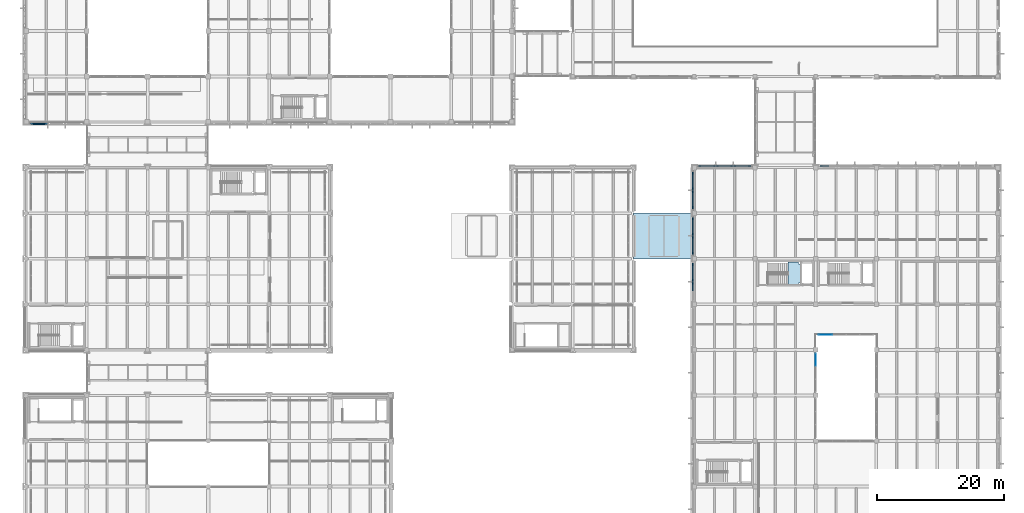
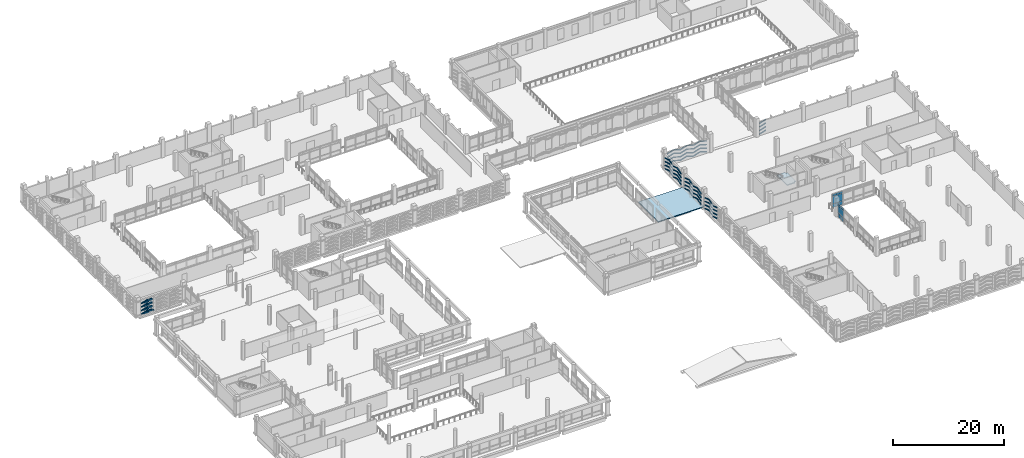
# One storey, part 128 of 180: 91 plates, 2 slabs, 3 elements without a shape of their own.
"""IFC4 building model written with IfcOpenShell, lengths in metres."""

from ifc_helpers import new_model, si_unit, direction, frame, origin, origin_2d, place, context, subcontext, project, spatial, polyline, rectangle, hollow_rectangle, outline, extrude, material, layer, layer_set, material_profile, profile_set, type_object, element, aggregate, save


model = new_model("IFC4")

# Units and contexts
model_context = context("Model", 3, precision=1e-05, world=origin(), true_north=direction((0.0, 1.0)))
body_context = subcontext(model_context, "Body", "Model", "MODEL_VIEW")
ifc_project = project(units=[si_unit("LENGTHUNIT", "METRE"), si_unit("AREAUNIT", "SQUARE_METRE"), si_unit("VOLUMEUNIT", "CUBIC_METRE"), si_unit("PLANEANGLEUNIT", "RADIAN"), si_unit("MASSUNIT", "GRAM", prefix="KILO")], contexts=[model_context])

# Site, building, storey
site_placement = place(None, origin())
site = spatial("IfcSite", under=ifc_project, at=site_placement, CompositionType="ELEMENT")
building_placement = place(site_placement, origin())
building = spatial("IfcBuilding", under=site, at=building_placement, Name="Asteropetra Specialist Clinic", CompositionType="ELEMENT")
storey_placement = place(building_placement, frame((0.0, 0.0, 4.419921875)))
storey = spatial("IfcBuildingStorey", under=building, at=storey_placement, Name="L01", CompositionType="ELEMENT", Elevation=4.419921875)

# Plates
ifc_material_1 = material(Name="Chevron emerald aluminium 6063-T6", Category="aluminium")
ifc_material_profile = material_profile(ifc_material_1, hollow_rectangle(XDim=0.199951171875, YDim=0.199951171875, WallThickness=0.010009765625, InnerFilletRadius=0.008056640625, OuterFilletRadius=0.01611328125, at=origin_2d()), Name="SHS 200x200x10.0")
ifc_profile_set = profile_set([ifc_material_profile], Name="Chevron emerald aluminium 6063-T6")
plate_type_1 = type_object("IfcPlateType", Name="CHV-RIB-200", PredefinedType="SHEET", material=ifc_profile_set)
plate_1_placement = place(storey_placement, frame((0.715087890625, 69.347900390625, 0.050048828125), z_axis=(0.952426149832, 0.0, 0.304769468807), x_axis=(0.0, 1.0, 0.0)))
element("IfcPlate", 1, at=plate_1_placement, inside=storey, type_object=plate_type_1, Name="Chevron Facade Screen Fin CVR-0363", PredefinedType="SHEET", context=body_context, shape_type="SweptSolid", body=[
    extrude(hollow_rectangle(XDim=0.199951171875, YDim=0.199951171875, WallThickness=0.010009765625, InnerFilletRadius=0.008056640625, OuterFilletRadius=0.01611328125, at=origin_2d()), origin(), (0.0, 0.0, 1.0), 1.41552734375),
])
plate_2_placement = place(storey_placement, frame((2.063232421875, 69.347900390625, 0.4814453125), z_axis=(0.95244216645, 0.0, -0.304719411211), x_axis=(0.0, 1.0, 0.0)))
element("IfcPlate", 2, at=plate_2_placement, inside=storey, type_object=plate_type_1, Name="Chevron Facade Screen Fin CVR-0364", PredefinedType="SHEET", context=body_context, shape_type="SweptSolid", body=[
    extrude(hollow_rectangle(XDim=0.199951171875, YDim=0.199951171875, WallThickness=0.010009765625, InnerFilletRadius=0.008056640625, OuterFilletRadius=0.01611328125, at=origin_2d()), origin(), (0.0, 0.0, 1.0), 1.415771484375),
])
for number, where, z_axis, x_axis, name in (
    (3, (0.715087890625, 69.347900390625, 0.820068359375), (0.952426149832, 0.0, 0.304769468807), (0.0, 1.0, 0.0), "Chevron Facade Screen Fin CVR-0365"),
    (4, (0.715087890625, 69.347900390625, 1.6201171875), (0.952426149832, 0.0, 0.304769468807), (0.0, 1.0, 0.0), "Chevron Facade Screen Fin CVR-0367"),
    (5, (0.715087890625, 69.347900390625, 2.400146484375), (0.952426149832, 0.0, 0.304769468807), (0.0, 1.0, 0.0), "Chevron Facade Screen Fin CVR-0369"),
):
    element("IfcPlate", number, at=place(storey_placement, frame(where, z_axis=z_axis, x_axis=x_axis)), inside=storey, type_object=plate_type_1, Name=name, PredefinedType="SHEET", context=body_context, shape_type="SweptSolid", body=[
        extrude(hollow_rectangle(XDim=0.199951171875, YDim=0.199951171875, WallThickness=0.010009765625, InnerFilletRadius=0.008056640625, OuterFilletRadius=0.01611328125, at=origin_2d()), origin(), (0.0, 0.0, 1.0), 1.41552734375),
    ])
for number, where, z_axis, x_axis, name in (
    (6, (114.510009765625, 62.6494140625, 0.050048828125), (-0.952436086829, 0.0, 0.304738413241), (0.0, -1.0, 0.0), "Chevron Facade Screen Fin CVR-2000"),
    (7, (113.1533203125, 62.6494140625, 0.484130859375), (-0.952436086829, 0.0, -0.304738413241), (0.0, -1.0, 0.0), "Chevron Facade Screen Fin CVR-2001"),
    (8, (114.510009765625, 62.6494140625, 0.820068359375), (-0.952436086829, 0.0, 0.304738413241), (0.0, -1.0, 0.0), "Chevron Facade Screen Fin CVR-2002"),
    (9, (113.1533203125, 62.6494140625, 1.254150390625), (-0.952436086829, 0.0, -0.304738413241), (0.0, -1.0, 0.0), "Chevron Facade Screen Fin CVR-2003"),
    (10, (114.510009765625, 62.6494140625, 1.6201171875), (-0.952436086829, 0.0, 0.304738413241), (0.0, -1.0, 0.0), "Chevron Facade Screen Fin CVR-2004"),
    (11, (113.1533203125, 62.6494140625, 2.05419921875), (-0.952436086829, 0.0, -0.304738413241), (0.0, -1.0, 0.0), "Chevron Facade Screen Fin CVR-2005"),
    (12, (114.510009765625, 62.6494140625, 2.400146484375), (-0.952436086829, 0.0, 0.304738413241), (0.0, -1.0, 0.0), "Chevron Facade Screen Fin CVR-2006"),
    (13, (113.1533203125, 62.6494140625, 2.834228515625), (-0.952436086829, 0.0, -0.304738413241), (0.0, -1.0, 0.0), "Chevron Facade Screen Fin CVR-2007"),
    (14, (111.756591796875, 62.6494140625, 0.050048828125), (-0.952436086829, 0.0, 0.304738413241), (0.0, -1.0, 0.0), "Chevron Facade Screen Fin CVR-2008"),
    (15, (110.39990234375, 62.6494140625, 0.484130859375), (-0.952436086829, 0.0, -0.304738413241), (0.0, -1.0, 0.0), "Chevron Facade Screen Fin CVR-2009"),
    (16, (111.756591796875, 62.6494140625, 0.820068359375), (-0.952436086829, 0.0, 0.304738413241), (0.0, -1.0, 0.0), "Chevron Facade Screen Fin CVR-2010"),
    (17, (110.39990234375, 62.6494140625, 1.254150390625), (-0.952436086829, 0.0, -0.304738413241), (0.0, -1.0, 0.0), "Chevron Facade Screen Fin CVR-2011"),
    (18, (111.756591796875, 62.6494140625, 1.6201171875), (-0.952436086829, 0.0, 0.304738413241), (0.0, -1.0, 0.0), "Chevron Facade Screen Fin CVR-2012"),
    (19, (110.39990234375, 62.6494140625, 2.05419921875), (-0.952436086829, 0.0, -0.304738413241), (0.0, -1.0, 0.0), "Chevron Facade Screen Fin CVR-2013"),
    (20, (111.756591796875, 62.6494140625, 2.400146484375), (-0.952436086829, 0.0, 0.304738413241), (0.0, -1.0, 0.0), "Chevron Facade Screen Fin CVR-2014"),
    (21, (110.39990234375, 62.6494140625, 2.834228515625), (-0.952436086829, 0.0, -0.304738413241), (0.0, -1.0, 0.0), "Chevron Facade Screen Fin CVR-2015"),
    (22, (109.00341796875, 62.6494140625, 0.050048828125), (-0.952436086829, 0.0, 0.304738413241), (0.0, -1.0, 0.0), "Chevron Facade Screen Fin CVR-2016"),
    (23, (107.646728515625, 62.6494140625, 0.484130859375), (-0.952436086829, 0.0, -0.304738413241), (0.0, -1.0, 0.0), "Chevron Facade Screen Fin CVR-2017"),
    (24, (109.00341796875, 62.6494140625, 0.820068359375), (-0.952436086829, 0.0, 0.304738413241), (0.0, -1.0, 0.0), "Chevron Facade Screen Fin CVR-2018"),
    (25, (107.646728515625, 62.6494140625, 1.254150390625), (-0.952436086829, 0.0, -0.304738413241), (0.0, -1.0, 0.0), "Chevron Facade Screen Fin CVR-2019"),
    (26, (109.00341796875, 62.6494140625, 1.6201171875), (-0.952436086829, 0.0, 0.304738413241), (0.0, -1.0, 0.0), "Chevron Facade Screen Fin CVR-2020"),
    (27, (107.646728515625, 62.6494140625, 2.05419921875), (-0.952436086829, 0.0, -0.304738413241), (0.0, -1.0, 0.0), "Chevron Facade Screen Fin CVR-2021"),
    (28, (109.00341796875, 62.6494140625, 2.400146484375), (-0.952436086829, 0.0, 0.304738413241), (0.0, -1.0, 0.0), "Chevron Facade Screen Fin CVR-2022"),
    (29, (107.646728515625, 62.6494140625, 2.834228515625), (-0.952436086829, 0.0, -0.304738413241), (0.0, -1.0, 0.0), "Chevron Facade Screen Fin CVR-2023"),
    (30, (126.8466796875, 62.6494140625, 0.484130859375), (-0.952436086829, 0.0, -0.304738413241), (0.0, -1.0, 0.0), "Chevron Facade Screen Fin CVR-2089"),
    (31, (126.8466796875, 62.6494140625, 1.254150390625), (-0.952436086829, 0.0, -0.304738413241), (0.0, -1.0, 0.0), "Chevron Facade Screen Fin CVR-2091"),
    (32, (126.8466796875, 62.6494140625, 2.05419921875), (-0.952436086829, 0.0, -0.304738413241), (0.0, -1.0, 0.0), "Chevron Facade Screen Fin CVR-2093"),
    (33, (126.8466796875, 62.6494140625, 2.834228515625), (-0.952436086829, 0.0, -0.304738413241), (0.0, -1.0, 0.0), "Chevron Facade Screen Fin CVR-2095"),
):
    element("IfcPlate", number, at=place(storey_placement, frame(where, z_axis=z_axis, x_axis=x_axis)), inside=storey, type_object=plate_type_1, Name=name, PredefinedType="SHEET", context=body_context, shape_type="SweptSolid", body=[
        extrude(hollow_rectangle(XDim=0.199951171875, YDim=0.199951171875, WallThickness=0.010009765625, InnerFilletRadius=0.008056640625, OuterFilletRadius=0.01611328125, at=origin_2d()), origin(), (0.0, 0.0, 1.0), 1.424560546875),
    ])
for number, where, z_axis, x_axis, name in (
    (34, (105.3505859375, 47.31005859375, 0.050048828125), (0.0, -0.952521261695, 0.304472077568), (1.0, 0.0, 0.0), "Chevron Facade Screen Fin CVR-2368"),
    (35, (105.3505859375, 45.864990234375, 0.511962890625), (0.0, -0.952521261695, -0.304472077568), (1.0, 0.0, 0.0), "Chevron Facade Screen Fin CVR-2369"),
    (36, (105.3505859375, 47.31005859375, 0.820068359375), (0.0, -0.952521261695, 0.304472077568), (1.0, 0.0, 0.0), "Chevron Facade Screen Fin CVR-2370"),
    (37, (105.3505859375, 45.864990234375, 1.281982421875), (0.0, -0.952521261695, -0.304472077568), (1.0, 0.0, 0.0), "Chevron Facade Screen Fin CVR-2371"),
    (38, (105.3505859375, 47.31005859375, 1.6201171875), (0.0, -0.952521261695, 0.304472077568), (1.0, 0.0, 0.0), "Chevron Facade Screen Fin CVR-2372"),
    (39, (105.3505859375, 45.864990234375, 2.08203125), (0.0, -0.952521261695, -0.304472077568), (1.0, 0.0, 0.0), "Chevron Facade Screen Fin CVR-2373"),
    (40, (105.3505859375, 47.31005859375, 2.400146484375), (0.0, -0.952521261695, 0.304472077568), (1.0, 0.0, 0.0), "Chevron Facade Screen Fin CVR-2374"),
    (41, (105.3505859375, 45.864990234375, 2.862060546875), (0.0, -0.952521261695, -0.304472077568), (1.0, 0.0, 0.0), "Chevron Facade Screen Fin CVR-2375"),
):
    element("IfcPlate", number, at=place(storey_placement, frame(where, z_axis=z_axis, x_axis=x_axis)), inside=storey, type_object=plate_type_1, Name=name, PredefinedType="SHEET", context=body_context, shape_type="SweptSolid", body=[
        extrude(hollow_rectangle(XDim=0.199951171875, YDim=0.199951171875, WallThickness=0.010009765625, InnerFilletRadius=0.008056640625, OuterFilletRadius=0.01611328125, at=origin_2d()), origin(), (0.0, 0.0, 1.0), 1.51708984375),
    ])
for number, where, z_axis, x_axis, name in (
    (42, (105.3505859375, 44.3798828125, 0.050048828125), (0.0, -0.952506339897, 0.304518755506), (1.0, 0.0, 0.0), "Chevron Facade Screen Fin CVR-2376"),
    (43, (105.3505859375, 44.3798828125, 0.820068359375), (0.0, -0.952506339897, 0.304518755506), (1.0, 0.0, 0.0), "Chevron Facade Screen Fin CVR-2378"),
    (44, (105.3505859375, 44.3798828125, 1.6201171875), (0.0, -0.952506339897, 0.304518755506), (1.0, 0.0, 0.0), "Chevron Facade Screen Fin CVR-2380"),
    (45, (105.3505859375, 44.3798828125, 2.400146484375), (0.0, -0.952506339897, 0.304518755506), (1.0, 0.0, 0.0), "Chevron Facade Screen Fin CVR-2382"),
):
    element("IfcPlate", number, at=place(storey_placement, frame(where, z_axis=z_axis, x_axis=x_axis)), inside=storey, type_object=plate_type_1, Name=name, PredefinedType="SHEET", context=body_context, shape_type="SweptSolid", body=[
        extrude(hollow_rectangle(XDim=0.199951171875, YDim=0.199951171875, WallThickness=0.010009765625, InnerFilletRadius=0.008056640625, OuterFilletRadius=0.01611328125, at=origin_2d()), origin(), (0.0, 0.0, 1.0), 1.516845703125),
    ])
plate_3_placement = place(storey_placement, frame((105.3505859375, 54.510009765625, 0.050048828125), z_axis=(0.0, -0.952521261695, 0.304472077568), x_axis=(1.0, 0.0, 0.0)))
element("IfcPlate", 46, at=plate_3_placement, inside=storey, type_object=plate_type_1, Name="Chevron Facade Screen Fin CVR-2400", PredefinedType="SHEET", context=body_context, shape_type="SweptSolid", body=[
    extrude(hollow_rectangle(XDim=0.199951171875, YDim=0.199951171875, WallThickness=0.010009765625, InnerFilletRadius=0.008056640625, OuterFilletRadius=0.01611328125, at=origin_2d()), origin(), (0.0, 0.0, 1.0), 1.51708984375),
])
plate_4_placement = place(storey_placement, frame((105.3505859375, 53.06494140625, 0.511962890625), z_axis=(0.0, -0.952506339897, -0.304518755506), x_axis=(1.0, 0.0, 0.0)))
element("IfcPlate", 47, at=plate_4_placement, inside=storey, type_object=plate_type_1, Name="Chevron Facade Screen Fin CVR-2401", PredefinedType="SHEET", context=body_context, shape_type="SweptSolid", body=[
    extrude(hollow_rectangle(XDim=0.199951171875, YDim=0.199951171875, WallThickness=0.010009765625, InnerFilletRadius=0.008056640625, OuterFilletRadius=0.01611328125, at=origin_2d()), origin(), (0.0, 0.0, 1.0), 1.516845703125),
])
plate_5_placement = place(storey_placement, frame((105.3505859375, 54.510009765625, 0.820068359375), z_axis=(0.0, -0.952521261695, 0.304472077568), x_axis=(1.0, 0.0, 0.0)))
element("IfcPlate", 48, at=plate_5_placement, inside=storey, type_object=plate_type_1, Name="Chevron Facade Screen Fin CVR-2402", PredefinedType="SHEET", context=body_context, shape_type="SweptSolid", body=[
    extrude(hollow_rectangle(XDim=0.199951171875, YDim=0.199951171875, WallThickness=0.010009765625, InnerFilletRadius=0.008056640625, OuterFilletRadius=0.01611328125, at=origin_2d()), origin(), (0.0, 0.0, 1.0), 1.51708984375),
])
plate_6_placement = place(storey_placement, frame((105.3505859375, 53.06494140625, 1.281982421875), z_axis=(0.0, -0.952506339897, -0.304518755506), x_axis=(1.0, 0.0, 0.0)))
element("IfcPlate", 49, at=plate_6_placement, inside=storey, type_object=plate_type_1, Name="Chevron Facade Screen Fin CVR-2403", PredefinedType="SHEET", context=body_context, shape_type="SweptSolid", body=[
    extrude(hollow_rectangle(XDim=0.199951171875, YDim=0.199951171875, WallThickness=0.010009765625, InnerFilletRadius=0.008056640625, OuterFilletRadius=0.01611328125, at=origin_2d()), origin(), (0.0, 0.0, 1.0), 1.516845703125),
])
plate_7_placement = place(storey_placement, frame((105.3505859375, 54.510009765625, 1.6201171875), z_axis=(0.0, -0.952521261695, 0.304472077568), x_axis=(1.0, 0.0, 0.0)))
element("IfcPlate", 50, at=plate_7_placement, inside=storey, type_object=plate_type_1, Name="Chevron Facade Screen Fin CVR-2404", PredefinedType="SHEET", context=body_context, shape_type="SweptSolid", body=[
    extrude(hollow_rectangle(XDim=0.199951171875, YDim=0.199951171875, WallThickness=0.010009765625, InnerFilletRadius=0.008056640625, OuterFilletRadius=0.01611328125, at=origin_2d()), origin(), (0.0, 0.0, 1.0), 1.51708984375),
])
plate_8_placement = place(storey_placement, frame((105.3505859375, 53.06494140625, 2.08203125), z_axis=(0.0, -0.952506339897, -0.304518755506), x_axis=(1.0, 0.0, 0.0)))
element("IfcPlate", 51, at=plate_8_placement, inside=storey, type_object=plate_type_1, Name="Chevron Facade Screen Fin CVR-2405", PredefinedType="SHEET", context=body_context, shape_type="SweptSolid", body=[
    extrude(hollow_rectangle(XDim=0.199951171875, YDim=0.199951171875, WallThickness=0.010009765625, InnerFilletRadius=0.008056640625, OuterFilletRadius=0.01611328125, at=origin_2d()), origin(), (0.0, 0.0, 1.0), 1.516845703125),
])
plate_9_placement = place(storey_placement, frame((105.3505859375, 54.510009765625, 2.400146484375), z_axis=(0.0, -0.952521261695, 0.304472077568), x_axis=(1.0, 0.0, 0.0)))
element("IfcPlate", 52, at=plate_9_placement, inside=storey, type_object=plate_type_1, Name="Chevron Facade Screen Fin CVR-2406", PredefinedType="SHEET", context=body_context, shape_type="SweptSolid", body=[
    extrude(hollow_rectangle(XDim=0.199951171875, YDim=0.199951171875, WallThickness=0.010009765625, InnerFilletRadius=0.008056640625, OuterFilletRadius=0.01611328125, at=origin_2d()), origin(), (0.0, 0.0, 1.0), 1.51708984375),
])
plate_10_placement = place(storey_placement, frame((105.3505859375, 53.06494140625, 2.862060546875), z_axis=(0.0, -0.952506339897, -0.304518755506), x_axis=(1.0, 0.0, 0.0)))
element("IfcPlate", 53, at=plate_10_placement, inside=storey, type_object=plate_type_1, Name="Chevron Facade Screen Fin CVR-2407", PredefinedType="SHEET", context=body_context, shape_type="SweptSolid", body=[
    extrude(hollow_rectangle(XDim=0.199951171875, YDim=0.199951171875, WallThickness=0.010009765625, InnerFilletRadius=0.008056640625, OuterFilletRadius=0.01611328125, at=origin_2d()), origin(), (0.0, 0.0, 1.0), 1.516845703125),
])
for number, where, z_axis, x_axis, name in (
    (54, (105.3505859375, 51.580078125, 0.050048828125), (0.0, -0.952521261695, 0.304472077568), (1.0, 0.0, 0.0), "Chevron Facade Screen Fin CVR-2408"),
    (55, (105.3505859375, 50.135009765625, 0.511962890625), (0.0, -0.952521261695, -0.304472077568), (1.0, 0.0, 0.0), "Chevron Facade Screen Fin CVR-2409"),
    (56, (105.3505859375, 51.580078125, 0.820068359375), (0.0, -0.952521261695, 0.304472077568), (1.0, 0.0, 0.0), "Chevron Facade Screen Fin CVR-2410"),
    (57, (105.3505859375, 50.135009765625, 1.281982421875), (0.0, -0.952521261695, -0.304472077568), (1.0, 0.0, 0.0), "Chevron Facade Screen Fin CVR-2411"),
    (58, (105.3505859375, 51.580078125, 1.6201171875), (0.0, -0.952521261695, 0.304472077568), (1.0, 0.0, 0.0), "Chevron Facade Screen Fin CVR-2412"),
    (59, (105.3505859375, 50.135009765625, 2.08203125), (0.0, -0.952521261695, -0.304472077568), (1.0, 0.0, 0.0), "Chevron Facade Screen Fin CVR-2413"),
    (60, (105.3505859375, 51.580078125, 2.400146484375), (0.0, -0.952521261695, 0.304472077568), (1.0, 0.0, 0.0), "Chevron Facade Screen Fin CVR-2414"),
    (61, (105.3505859375, 50.135009765625, 2.862060546875), (0.0, -0.952521261695, -0.304472077568), (1.0, 0.0, 0.0), "Chevron Facade Screen Fin CVR-2415"),
    (62, (105.3505859375, 61.7099609375, 0.050048828125), (0.0, -0.952521261695, 0.304472077568), (1.0, 0.0, 0.0), "Chevron Facade Screen Fin CVR-2432"),
):
    element("IfcPlate", number, at=place(storey_placement, frame(where, z_axis=z_axis, x_axis=x_axis)), inside=storey, type_object=plate_type_1, Name=name, PredefinedType="SHEET", context=body_context, shape_type="SweptSolid", body=[
        extrude(hollow_rectangle(XDim=0.199951171875, YDim=0.199951171875, WallThickness=0.010009765625, InnerFilletRadius=0.008056640625, OuterFilletRadius=0.01611328125, at=origin_2d()), origin(), (0.0, 0.0, 1.0), 1.51708984375),
    ])
plate_11_placement = place(storey_placement, frame((105.3505859375, 60.264892578125, 0.511962890625), z_axis=(0.0, -0.952506339897, -0.304518755506), x_axis=(1.0, 0.0, 0.0)))
element("IfcPlate", 63, at=plate_11_placement, inside=storey, type_object=plate_type_1, Name="Chevron Facade Screen Fin CVR-2433", PredefinedType="SHEET", context=body_context, shape_type="SweptSolid", body=[
    extrude(hollow_rectangle(XDim=0.199951171875, YDim=0.199951171875, WallThickness=0.010009765625, InnerFilletRadius=0.008056640625, OuterFilletRadius=0.01611328125, at=origin_2d()), origin(), (0.0, 0.0, 1.0), 1.516845703125),
])
plate_12_placement = place(storey_placement, frame((105.3505859375, 61.7099609375, 0.820068359375), z_axis=(0.0, -0.952521261695, 0.304472077568), x_axis=(1.0, 0.0, 0.0)))
element("IfcPlate", 64, at=plate_12_placement, inside=storey, type_object=plate_type_1, Name="Chevron Facade Screen Fin CVR-2434", PredefinedType="SHEET", context=body_context, shape_type="SweptSolid", body=[
    extrude(hollow_rectangle(XDim=0.199951171875, YDim=0.199951171875, WallThickness=0.010009765625, InnerFilletRadius=0.008056640625, OuterFilletRadius=0.01611328125, at=origin_2d()), origin(), (0.0, 0.0, 1.0), 1.51708984375),
])
plate_13_placement = place(storey_placement, frame((105.3505859375, 60.264892578125, 1.281982421875), z_axis=(0.0, -0.952506339897, -0.304518755506), x_axis=(1.0, 0.0, 0.0)))
element("IfcPlate", 65, at=plate_13_placement, inside=storey, type_object=plate_type_1, Name="Chevron Facade Screen Fin CVR-2435", PredefinedType="SHEET", context=body_context, shape_type="SweptSolid", body=[
    extrude(hollow_rectangle(XDim=0.199951171875, YDim=0.199951171875, WallThickness=0.010009765625, InnerFilletRadius=0.008056640625, OuterFilletRadius=0.01611328125, at=origin_2d()), origin(), (0.0, 0.0, 1.0), 1.516845703125),
])
plate_14_placement = place(storey_placement, frame((105.3505859375, 61.7099609375, 1.6201171875), z_axis=(0.0, -0.952521261695, 0.304472077568), x_axis=(1.0, 0.0, 0.0)))
element("IfcPlate", 66, at=plate_14_placement, inside=storey, type_object=plate_type_1, Name="Chevron Facade Screen Fin CVR-2436", PredefinedType="SHEET", context=body_context, shape_type="SweptSolid", body=[
    extrude(hollow_rectangle(XDim=0.199951171875, YDim=0.199951171875, WallThickness=0.010009765625, InnerFilletRadius=0.008056640625, OuterFilletRadius=0.01611328125, at=origin_2d()), origin(), (0.0, 0.0, 1.0), 1.51708984375),
])
plate_15_placement = place(storey_placement, frame((105.3505859375, 60.264892578125, 2.08203125), z_axis=(0.0, -0.952506339897, -0.304518755506), x_axis=(1.0, 0.0, 0.0)))
element("IfcPlate", 67, at=plate_15_placement, inside=storey, type_object=plate_type_1, Name="Chevron Facade Screen Fin CVR-2437", PredefinedType="SHEET", context=body_context, shape_type="SweptSolid", body=[
    extrude(hollow_rectangle(XDim=0.199951171875, YDim=0.199951171875, WallThickness=0.010009765625, InnerFilletRadius=0.008056640625, OuterFilletRadius=0.01611328125, at=origin_2d()), origin(), (0.0, 0.0, 1.0), 1.516845703125),
])
plate_16_placement = place(storey_placement, frame((105.3505859375, 61.7099609375, 2.400146484375), z_axis=(0.0, -0.952521261695, 0.304472077568), x_axis=(1.0, 0.0, 0.0)))
element("IfcPlate", 68, at=plate_16_placement, inside=storey, type_object=plate_type_1, Name="Chevron Facade Screen Fin CVR-2438", PredefinedType="SHEET", context=body_context, shape_type="SweptSolid", body=[
    extrude(hollow_rectangle(XDim=0.199951171875, YDim=0.199951171875, WallThickness=0.010009765625, InnerFilletRadius=0.008056640625, OuterFilletRadius=0.01611328125, at=origin_2d()), origin(), (0.0, 0.0, 1.0), 1.51708984375),
])
plate_17_placement = place(storey_placement, frame((105.3505859375, 60.264892578125, 2.862060546875), z_axis=(0.0, -0.952506339897, -0.304518755506), x_axis=(1.0, 0.0, 0.0)))
element("IfcPlate", 69, at=plate_17_placement, inside=storey, type_object=plate_type_1, Name="Chevron Facade Screen Fin CVR-2439", PredefinedType="SHEET", context=body_context, shape_type="SweptSolid", body=[
    extrude(hollow_rectangle(XDim=0.199951171875, YDim=0.199951171875, WallThickness=0.010009765625, InnerFilletRadius=0.008056640625, OuterFilletRadius=0.01611328125, at=origin_2d()), origin(), (0.0, 0.0, 1.0), 1.516845703125),
])
for number, where, z_axis, x_axis, name in (
    (70, (105.3505859375, 58.780029296875, 0.050048828125), (0.0, -0.952521261695, 0.304472077568), (1.0, 0.0, 0.0), "Chevron Facade Screen Fin CVR-2440"),
    (71, (105.3505859375, 57.3349609375, 0.511962890625), (0.0, -0.952521261695, -0.304472077568), (1.0, 0.0, 0.0), "Chevron Facade Screen Fin CVR-2441"),
    (72, (105.3505859375, 58.780029296875, 0.820068359375), (0.0, -0.952521261695, 0.304472077568), (1.0, 0.0, 0.0), "Chevron Facade Screen Fin CVR-2442"),
    (73, (105.3505859375, 57.3349609375, 1.281982421875), (0.0, -0.952521261695, -0.304472077568), (1.0, 0.0, 0.0), "Chevron Facade Screen Fin CVR-2443"),
    (74, (105.3505859375, 58.780029296875, 1.6201171875), (0.0, -0.952521261695, 0.304472077568), (1.0, 0.0, 0.0), "Chevron Facade Screen Fin CVR-2444"),
    (75, (105.3505859375, 57.3349609375, 2.08203125), (0.0, -0.952521261695, -0.304472077568), (1.0, 0.0, 0.0), "Chevron Facade Screen Fin CVR-2445"),
    (76, (105.3505859375, 58.780029296875, 2.400146484375), (0.0, -0.952521261695, 0.304472077568), (1.0, 0.0, 0.0), "Chevron Facade Screen Fin CVR-2446"),
    (77, (105.3505859375, 57.3349609375, 2.862060546875), (0.0, -0.952521261695, -0.304472077568), (1.0, 0.0, 0.0), "Chevron Facade Screen Fin CVR-2447"),
):
    element("IfcPlate", number, at=place(storey_placement, frame(where, z_axis=z_axis, x_axis=x_axis)), inside=storey, type_object=plate_type_1, Name=name, PredefinedType="SHEET", context=body_context, shape_type="SweptSolid", body=[
        extrude(hollow_rectangle(XDim=0.199951171875, YDim=0.199951171875, WallThickness=0.010009765625, InnerFilletRadius=0.008056640625, OuterFilletRadius=0.01611328125, at=origin_2d()), origin(), (0.0, 0.0, 1.0), 1.51708984375),
    ])

# Curtain wall, plates
ifc_material_2 = material(Name="Aluminium and low-E glass", Category="aluminium")
ifc_layer_1 = layer(ifc_material_2, 0.135009765625)
ifc_layer_set_1 = layer_set([ifc_layer_1], Name="Aluminium and low-E glass")
curtain_wall_type_1 = type_object("IfcCurtainWallType", Name="CW-SYS-09", PredefinedType="USERDEFINED", material=ifc_layer_set_1)
curtain_wall_1_placement = place(storey_placement, origin())
curtain_wall_1 = element("IfcCurtainWall", 78, at=curtain_wall_1_placement, inside=storey, type_object=curtain_wall_type_1, Name="Curtain Wall CW-072", ObjectType="STICK GLAZED COLONNADE", PredefinedType="USERDEFINED")
ifc_material_3 = material(Name="Low-E double glazing", Category="glass")
ifc_layer_2 = layer(ifc_material_3, 0.028076171875)
ifc_layer_set_2 = layer_set([ifc_layer_2], Name="Low-E double glazing")
plate_type_2 = type_object("IfcPlateType", Name="CWP-GLZ-28", PredefinedType="CURTAIN_PANEL", material=ifc_layer_set_2)
plate_18_placement = place(storey_placement, frame((126.3486328125, 36.0, 0.074951171875), z_axis=(0.0, 0.0, 1.0), x_axis=(-1.0, 0.0, 0.0)))
plate_18 = element("IfcPlate", 79, at=plate_18_placement, type_object=plate_type_2, Name="CW-072 panel 4.1", PredefinedType="CURTAIN_PANEL", context=body_context, shape_type="SweptSolid", body=[
    extrude(rectangle(XDim=2.0673828125, YDim=0.028076171875, at=origin_2d()), origin(), (0.0, 0.0, 1.0), 0.78759765625),
])
plate_19_placement = place(storey_placement, frame((126.3486328125, 36.0, 0.9375), z_axis=(0.0, 0.0, 1.0), x_axis=(-1.0, 0.0, 0.0)))
plate_19 = element("IfcPlate", 80, at=plate_19_placement, type_object=plate_type_2, Name="CW-072 panel 4.2", PredefinedType="CURTAIN_PANEL", context=body_context, shape_type="SweptSolid", body=[
    extrude(rectangle(XDim=2.0673828125, YDim=0.028076171875, at=origin_2d()), origin(), (0.0, 0.0, 1.0), 1.5849609375),
])
plate_20_placement = place(storey_placement, frame((126.3486328125, 36.0, 2.59765625), z_axis=(0.0, 0.0, 1.0), x_axis=(-1.0, 0.0, 0.0)))
plate_20 = element("IfcPlate", 81, at=plate_20_placement, type_object=plate_type_2, Name="CW-072 panel 4.3", PredefinedType="CURTAIN_PANEL", context=body_context, shape_type="SweptSolid", body=[
    extrude(rectangle(XDim=2.0673828125, YDim=0.028076171875, at=origin_2d()), origin(), (0.0, 0.0, 1.0), 0.387451171875),
])
aggregate(curtain_wall_1, [plate_18, plate_19, plate_20])

ifc_material_4 = material(Name="Aluminium and low-E glass", Category="aluminium")
ifc_layer_3 = layer(ifc_material_4, 0.14990234375)
ifc_layer_set_3 = layer_set([ifc_layer_3], Name="Aluminium and low-E glass")
curtain_wall_type_2 = type_object("IfcCurtainWallType", Name="CW-SYS-11", PredefinedType="USERDEFINED", material=ifc_layer_set_3)
curtain_wall_2_placement = place(storey_placement, origin())
curtain_wall_2 = element("IfcCurtainWall", 82, at=curtain_wall_2_placement, inside=storey, type_object=curtain_wall_type_2, Name="Curtain Wall CW-075", ObjectType="STICK GLAZED COLONNADE", PredefinedType="USERDEFINED")
ifc_material_5 = material(Name="Laminated skylight glazing", Category="glass")
ifc_layer_4 = layer(ifc_material_5, 0.0400390625)
ifc_layer_set_4 = layer_set([ifc_layer_4], Name="Laminated skylight glazing")
plate_type_3 = type_object("IfcPlateType", Name="CWP-GLZ-40", PredefinedType="CURTAIN_PANEL", material=ifc_layer_set_4)
plate_21_placement = place(storey_placement, frame((124.800048828125, 32.041259765625, 0.074951171875), z_axis=(0.0, 0.0, 1.0), x_axis=(0.0, -1.0, 0.0)))
plate_21 = element("IfcPlate", 83, at=plate_21_placement, type_object=plate_type_3, Name="CW-075 panel 1.1", PredefinedType="CURTAIN_PANEL", context=body_context, shape_type="SweptSolid", body=[
    extrude(rectangle(XDim=1.947509765625, YDim=0.0400390625, at=origin_2d()), origin(), (0.0, 0.0, 1.0), 0.78759765625),
])
plate_22_placement = place(storey_placement, frame((124.800048828125, 32.041259765625, 0.9375), z_axis=(0.0, 0.0, 1.0), x_axis=(0.0, -1.0, 0.0)))
plate_22 = element("IfcPlate", 84, at=plate_22_placement, type_object=plate_type_3, Name="CW-075 panel 1.2", PredefinedType="CURTAIN_PANEL", context=body_context, shape_type="SweptSolid", body=[
    extrude(rectangle(XDim=1.947509765625, YDim=0.0400390625, at=origin_2d()), origin(), (0.0, 0.0, 1.0), 1.5849609375),
])
plate_23_placement = place(storey_placement, frame((124.800048828125, 32.041259765625, 2.59765625), z_axis=(0.0, 0.0, 1.0), x_axis=(0.0, -1.0, 0.0)))
plate_23 = element("IfcPlate", 85, at=plate_23_placement, type_object=plate_type_3, Name="CW-075 panel 1.3", PredefinedType="CURTAIN_PANEL", context=body_context, shape_type="SweptSolid", body=[
    extrude(rectangle(XDim=1.947509765625, YDim=0.0400390625, at=origin_2d()), origin(), (0.0, 0.0, 1.0), 0.387451171875),
])
aggregate(curtain_wall_2, [plate_21, plate_22, plate_23])

# Plates
ifc_material_6 = material(Name="Aluminium 6063-T6", Category="aluminium")
ifc_layer_5 = layer(ifc_material_6, 0.139892578125)
ifc_layer_set_5 = layer_set([ifc_layer_5], Name="Aluminium 6063-T6")
plate_type_4 = type_object("IfcPlateType", Name="PLT-CHV-TILE", PredefinedType="SHEET", material=ifc_layer_set_5)
for number, where, z_axis, x_axis, name in (
    (86, (1.685791015625, 69.31005859375, 0.029296875), (0.0, 0.0, 1.0), (1.0, 0.0, 0.0), "Chevron Ceramic Panel CPT-0001"),
    (87, (2.44091796875, 69.31005859375, 0.193359375), (0.0, 0.0, 1.0), (1.0, 0.0, 0.0), "Chevron Ceramic Panel CPT-0002"),
    (88, (1.685791015625, 69.31005859375, 0.79931640625), (0.0, 0.0, 1.0), (1.0, 0.0, 0.0), "Chevron Ceramic Panel CPT-0003"),
    (89, (2.44091796875, 69.31005859375, 0.96337890625), (0.0, 0.0, 1.0), (1.0, 0.0, 0.0), "Chevron Ceramic Panel CPT-0004"),
    (90, (1.685791015625, 69.31005859375, 1.599609375), (0.0, 0.0, 1.0), (1.0, 0.0, 0.0), "Chevron Ceramic Panel CPT-0005"),
    (91, (2.44091796875, 69.31005859375, 1.763671875), (0.0, 0.0, 1.0), (1.0, 0.0, 0.0), "Chevron Ceramic Panel CPT-0006"),
    (92, (1.685791015625, 69.31005859375, 2.37939453125), (0.0, 0.0, 1.0), (1.0, 0.0, 0.0), "Chevron Ceramic Panel CPT-0007"),
    (93, (2.44091796875, 69.31005859375, 2.54345703125), (0.0, 0.0, 1.0), (1.0, 0.0, 0.0), "Chevron Ceramic Panel CPT-0008"),
):
    element("IfcPlate", number, at=place(storey_placement, frame(where, z_axis=z_axis, x_axis=x_axis)), inside=storey, type_object=plate_type_4, Name=name, PredefinedType="SHEET", context=body_context, shape_type="SweptSolid", body=[
        extrude(rectangle(XDim=1.0791015625, YDim=0.280029296875, at=origin_2d()), origin(), (0.0, 0.0, 1.0), 0.300048828125),
    ])

# Stair, slab
ifc_material_7 = material(Name="Concrete C35/45", Category="concrete")
stair_type = type_object("IfcStairType", Name="STR-DOG-155", PredefinedType="TWO_STRAIGHT_RUN_STAIR", material=ifc_material_7)
stair_placement = place(storey_placement, origin())
stair = element("IfcStair", 94, at=stair_placement, inside=storey, type_object=stair_type, Name="Type I Stair ST10-L01", PredefinedType="TWO_STRAIGHT_RUN_STAIR")
ifc_material_8 = material(Name="Concrete C35/45", Category="concrete")
ifc_layer_6 = layer(ifc_material_8, 0.199951171875)
ifc_layer_set_6 = layer_set([ifc_layer_6], Name="Concrete C35/45")
slab_type_1 = type_object("IfcSlabType", Name="SLB-LND-200", PredefinedType="LANDING", material=ifc_layer_set_6)
slab_1_placement = place(storey_placement, frame((0.0, 0.0, 1.840087890625)))
slab_1 = element("IfcSlab", 95, at=slab_1_placement, type_object=slab_type_1, Name="ST10-L01 landing 1", PredefinedType="LANDING", context=body_context, shape_type="SweptSolid", body=[
    extrude(outline(polyline([(120.449951171875, 43.8701171875), (122.10009765625, 43.8701171875), (122.10009765625, 44.18994140625), (122.419921875, 44.18994140625), (122.419921875, 47.18994140625), (122.10009765625, 47.18994140625), (122.10009765625, 47.510009765625), (120.449951171875, 47.510009765625), (120.449951171875, 43.8701171875)])), origin(), (0.0, 0.0, 1.0), 0.199951171875),
])
aggregate(stair, [slab_1])

# Slab
ifc_material_9 = material(Name="Concrete C35/45", Category="concrete")
ifc_layer_7 = layer(ifc_material_9, 0.18994140625)
ifc_layer_set_7 = layer_set([ifc_layer_7], Name="Concrete C35/45")
slab_type_2 = type_object("IfcSlabType", Name="SLB-ROOF-190", PredefinedType="ROOF", material=ifc_layer_set_7)
slab_2_placement = place(storey_placement, frame((0.0, 0.0, -0.18994140625)))
element("IfcSlab", 96, at=slab_2_placement, inside=storey, type_object=slab_type_2, Name="Slab LP4E-ROOF L01", PredefinedType="ROOF", context=body_context, shape_type="SweptSolid", body=[
    extrude(outline(polyline([(96.0400390625, 48.0), (105.56005859375, 48.0), (105.56005859375, 55.199951171875), (96.0400390625, 55.199951171875), (96.0400390625, 48.0)])), origin(), (0.0, 0.0, 1.0), 0.18994140625),
])

save(model, "model.ifc")
